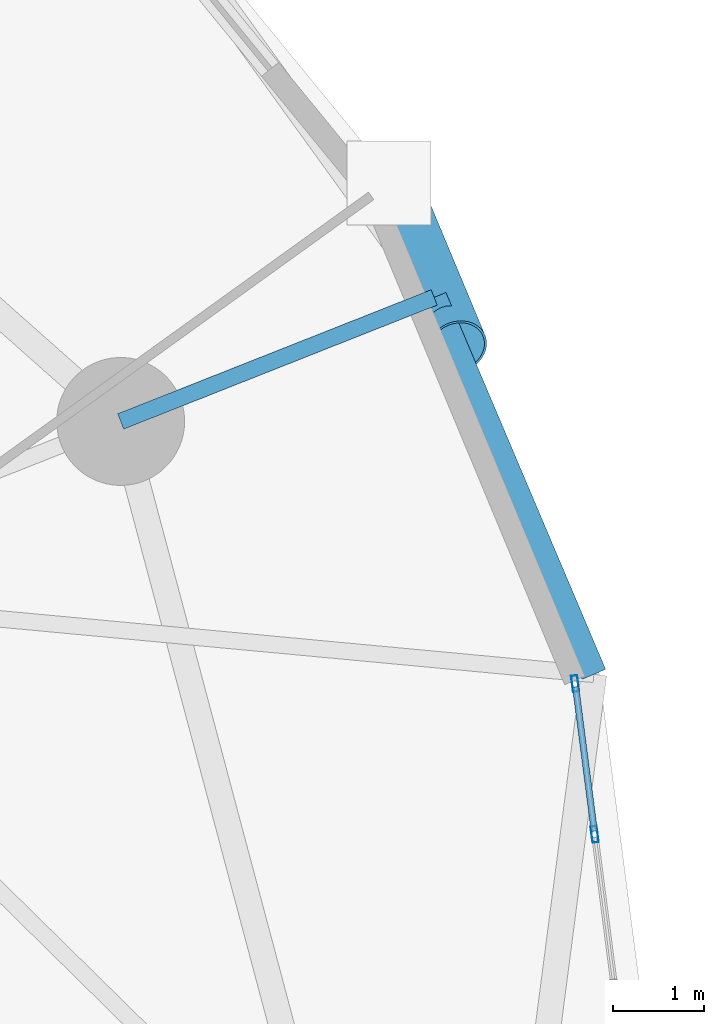
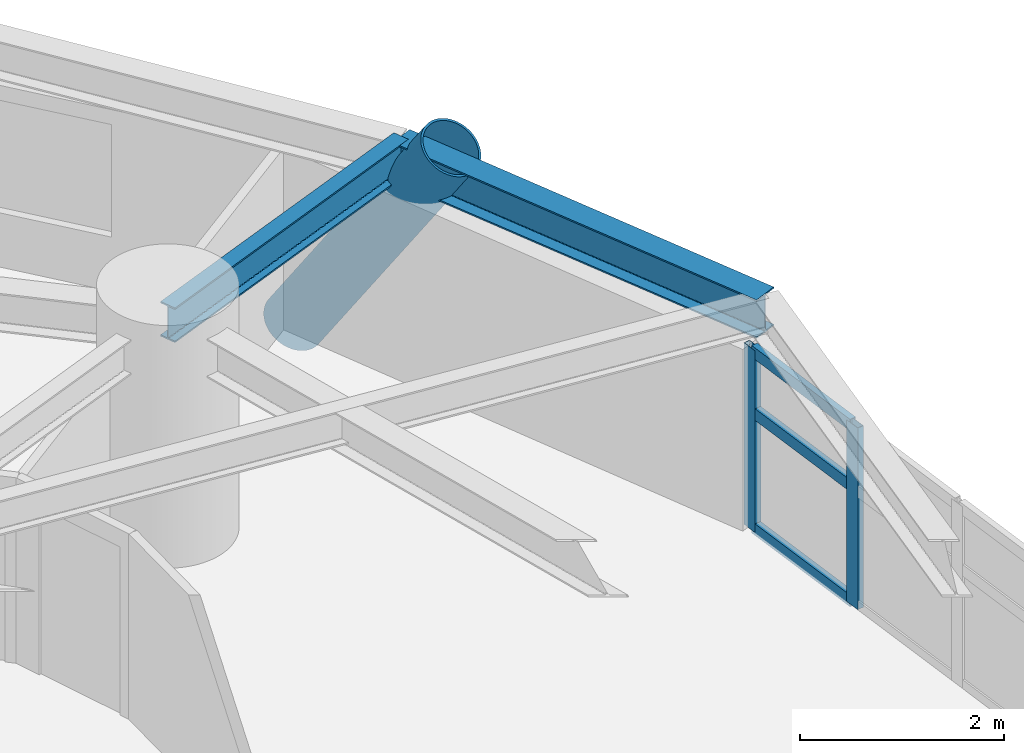
# One storey, part 4 of 18: 6 members, 2 beams, 1 element without a shape of its own.
"""IFC4 building model written with IfcOpenShell, lengths in metres."""

from ifc_helpers import new_model, si_unit, direction, frame, origin, origin_2d, place, context, subcontext, project, spatial, hollow_rectangle, hollow_circle, i_section, extrude, material, layer, layer_set, material_profile, profile_set, type_object, element, aggregate, save


model = new_model("IFC4")

# Units and contexts
model_context = context("Model", 3, precision=1e-05, world=origin(), true_north=direction((0.0, 1.0)))
body_context = subcontext(model_context, "Body", "Model", "MODEL_VIEW")
ifc_project = project(units=[si_unit("LENGTHUNIT", "METRE"), si_unit("AREAUNIT", "SQUARE_METRE"), si_unit("VOLUMEUNIT", "CUBIC_METRE"), si_unit("PLANEANGLEUNIT", "RADIAN"), si_unit("MASSUNIT", "GRAM", prefix="KILO")], contexts=[model_context])

# Site, building, storey
site_placement = place(None, origin())
site = spatial("IfcSite", under=ifc_project, at=site_placement, CompositionType="ELEMENT")
building_placement = place(site_placement, origin())
building = spatial("IfcBuilding", under=site, at=building_placement, Name="Cununo Teusaquillo Station Towers", CompositionType="ELEMENT")
storey_placement = place(building_placement, frame((0.0, 0.0, 102.159912109375)))
storey = spatial("IfcBuildingStorey", under=building, at=storey_placement, Name="L32", CompositionType="ELEMENT", Elevation=102.159912109375)

# Beams
ifc_material_1 = material(Name="Steel ASTM A572 Grade 50", Category="steel")
ifc_material_profile_1 = material_profile(ifc_material_1, i_section(OverallWidth=0.180908203125, OverallDepth=0.4169921875, WebThickness=0.010986328125, FlangeThickness=0.018310546875, FilletRadius=0.012939453125, at=origin_2d()), Name="W16X57")
ifc_profile_set_1 = profile_set([ifc_material_profile_1], Name="Steel ASTM A572 Grade 50")
beam_type_1 = type_object("IfcBeamType", Name="BM-RAD-G2", PredefinedType="BEAM", material=ifc_profile_set_1)
beam_1_placement = place(storey_placement, frame((26.347412109375, 33.228515625, 2.461669921875), z_axis=(0.929861788731, 0.367909029323, 0.0), x_axis=(-0.367909029323, 0.929861788731, 0.0)))
element("IfcBeam", 1, at=beam_1_placement, inside=storey, type_object=beam_type_1, Name="L32 Tower A Perimeter Overhang Girder 02B", PredefinedType="BEAM", context=body_context, shape_type="SweptSolid", body=[
    extrude(i_section(OverallWidth=0.180908203125, OverallDepth=0.4169921875, WebThickness=0.010986328125, FlangeThickness=0.018310546875, FilletRadius=0.012939453125, at=origin_2d()), origin(), (0.0, 0.0, 1.0), 3.690185546875),
])
ifc_material_2 = material(Name="Steel ASTM A572 Grade 50", Category="steel")
ifc_material_profile_2 = material_profile(ifc_material_2, i_section(OverallWidth=0.280029296875, OverallDepth=0.462890625, WebThickness=0.0107421875, FlangeThickness=0.017333984375, FilletRadius=0.013916015625, at=origin_2d()), Name="W18X76")
ifc_profile_set_2 = profile_set([ifc_material_profile_2], Name="Steel ASTM A572 Grade 50")
beam_type_2 = type_object("IfcBeamType", Name="BM-RING-Z2", PredefinedType="SPANDREL", material=ifc_profile_set_2)
beam_2_placement = place(storey_placement, frame((31.527587890625, 30.4609375, 2.4384765625), z_axis=(-0.390299356049, 0.920688010494, 0.0), x_axis=(-0.920688010494, -0.390299356049, 0.0)))
element("IfcBeam", 2, at=beam_2_placement, inside=storey, type_object=beam_type_2, Name="L32 Tower A Spandrel Ring Beam 02", PredefinedType="SPANDREL", context=body_context, shape_type="SweptSolid", body=[
    extrude(i_section(OverallWidth=0.280029296875, OverallDepth=0.462890625, WebThickness=0.0107421875, FlangeThickness=0.017333984375, FilletRadius=0.013916015625, at=origin_2d()), origin(), (0.0, 0.0, 1.0), 4.480712890625),
])

# Curtain wall, members
ifc_material_3 = material(Name="Ceramic-fritted dark low-E double glazing", Category="glass")
ifc_layer = layer(ifc_material_3, 0.179931640625)
ifc_layer_set = layer_set([ifc_layer], Name="Ceramic-fritted dark low-E double glazing")
curtain_wall_type = type_object("IfcCurtainWallType", Name="CW-SYS-04", PredefinedType="USERDEFINED", material=ifc_layer_set)
curtain_wall_placement = place(storey_placement, origin())
curtain_wall = element("IfcCurtainWall", 3, at=curtain_wall_placement, inside=storey, type_object=curtain_wall_type, Name="L32 Tower A Facade Curtain Wall C00", ObjectType="FRITTED GLAZING", PredefinedType="USERDEFINED")
ifc_material_4 = material(Name="Anodised dark bronze aluminium EN AW-6063-T6", Category="aluminium")
ifc_material_profile_3 = material_profile(ifc_material_4, hollow_rectangle(XDim=0.070068359375, YDim=0.179931640625, WallThickness=0.00390625, at=origin_2d()), Name="CW-MULL-70x180")
ifc_profile_set_3 = profile_set([ifc_material_profile_3], Name="Anodised dark bronze aluminium EN AW-6063-T6")
member_type_1 = type_object("IfcMemberType", Name="CWM-180", PredefinedType="MULLION", material=ifc_profile_set_3)
member_1_placement = place(storey_placement, frame((31.322998046875, 30.3583984375, 0.0), z_axis=(0.0, 0.0, 1.0), x_axis=(0.991730764367, 0.128335852387, 0.0)))
member_1 = element("IfcMember", 4, at=member_1_placement, type_object=member_type_1, Name="CW-04 mullion 1", PredefinedType="MULLION", context=body_context, shape_type="SweptSolid", body=[
    extrude(hollow_rectangle(XDim=0.070068359375, YDim=0.179931640625, WallThickness=0.00390625, at=origin_2d()), origin(), (0.0, 0.0, 1.0), 2.17919921875),
])
member_2_placement = place(storey_placement, frame((31.5361328125, 28.709716796875, 0.0), z_axis=(0.0, 0.0, 1.0), x_axis=(0.991730764367, 0.128335852387, 0.0)))
member_2 = element("IfcMember", 5, at=member_2_placement, type_object=member_type_1, Name="CW-04 mullion 2", PredefinedType="MULLION", context=body_context, shape_type="SweptSolid", body=[
    extrude(hollow_rectangle(XDim=0.070068359375, YDim=0.179931640625, WallThickness=0.00390625, at=origin_2d()), origin(), (0.0, 0.0, 1.0), 2.17919921875),
])
ifc_material_5 = material(Name="Anodised dark bronze aluminium EN AW-6063-T6", Category="aluminium")
ifc_material_profile_4 = material_profile(ifc_material_5, hollow_rectangle(XDim=0.070068359375, YDim=0.139892578125, WallThickness=0.00390625, at=origin_2d()), Name="CW-TRAN-70x140")
ifc_profile_set_4 = profile_set([ifc_material_profile_4], Name="Anodised dark bronze aluminium EN AW-6063-T6")
member_type_2 = type_object("IfcMemberType", Name="CWT-140", PredefinedType="USERDEFINED", material=ifc_profile_set_4)
member_3_placement = place(storey_placement, frame((31.327392578125, 30.323486328125, 0.03515625), z_axis=(0.128336210724, -0.991730717996, 0.0), x_axis=(0.991730717996, 0.128336210724, 0.0)))
member_3 = element("IfcMember", 6, at=member_3_placement, type_object=member_type_2, Name="CW-04 transom 1.1", ObjectType="TRANSOM", PredefinedType="USERDEFINED", context=body_context, shape_type="SweptSolid", body=[
    extrude(hollow_rectangle(XDim=0.070068359375, YDim=0.139892578125, WallThickness=0.00390625, at=origin_2d()), origin(), (0.0, 0.0, 1.0), 1.59228515625),
])
member_4_placement = place(storey_placement, frame((31.327392578125, 30.323486328125, 1.416015625), z_axis=(0.128336210724, -0.991730717996, 0.0), x_axis=(0.991730717996, 0.128336210724, 0.0)))
member_4 = element("IfcMember", 7, at=member_4_placement, type_object=member_type_2, Name="CW-04 transom 1.2", ObjectType="TRANSOM", PredefinedType="USERDEFINED", context=body_context, shape_type="SweptSolid", body=[
    extrude(hollow_rectangle(XDim=0.070068359375, YDim=0.139892578125, WallThickness=0.00390625, at=origin_2d()), origin(), (0.0, 0.0, 1.0), 1.59228515625),
])
member_5_placement = place(storey_placement, frame((31.327392578125, 30.323486328125, 2.14404296875), z_axis=(0.128336210724, -0.991730717996, 0.0), x_axis=(0.991730717996, 0.128336210724, 0.0)))
member_5 = element("IfcMember", 8, at=member_5_placement, type_object=member_type_2, Name="CW-04 transom 1.3", ObjectType="TRANSOM", PredefinedType="USERDEFINED", context=body_context, shape_type="SweptSolid", body=[
    extrude(hollow_rectangle(XDim=0.070068359375, YDim=0.139892578125, WallThickness=0.00390625, at=origin_2d()), origin(), (0.0, 0.0, 1.0), 1.59228515625),
])
aggregate(curtain_wall, [member_1, member_2, member_3, member_4, member_5])

# Member
ifc_material_6 = material(Name="Steel EN 10025-2 S355J2", Category="steel")
ifc_material_profile_5 = material_profile(ifc_material_6, hollow_circle(Radius=0.330078125, WallThickness=0.02490234375, at=origin_2d()), Name="CHS 660x25")
ifc_profile_set_5 = profile_set([ifc_material_profile_5], Name="Steel EN 10025-2 S355J2")
member_type_3 = type_object("IfcMemberType", Name="MBR-DIAG-Z2", PredefinedType="BRACE", material=ifc_profile_set_5)
member_6_placement = place(storey_placement, frame((29.283203125, 35.83837890625, -0.139892578125), z_axis=(0.213880258627, -0.512335679883, 0.831725547334), x_axis=(0.922816406816, 0.385240028179, 0.0)))
element("IfcMember", 9, at=member_6_placement, inside=storey, type_object=member_type_3, Name="L32 Tower A Folded-Zigzag Diagrid Tube C01", PredefinedType="BRACE", context=body_context, shape_type="SweptSolid", body=[
    extrude(hollow_circle(Radius=0.330078125, WallThickness=0.02490234375, at=origin_2d()), origin(), (0.0, 0.0, 1.0), 3.49853515625),
])

save(model, "model.ifc")
